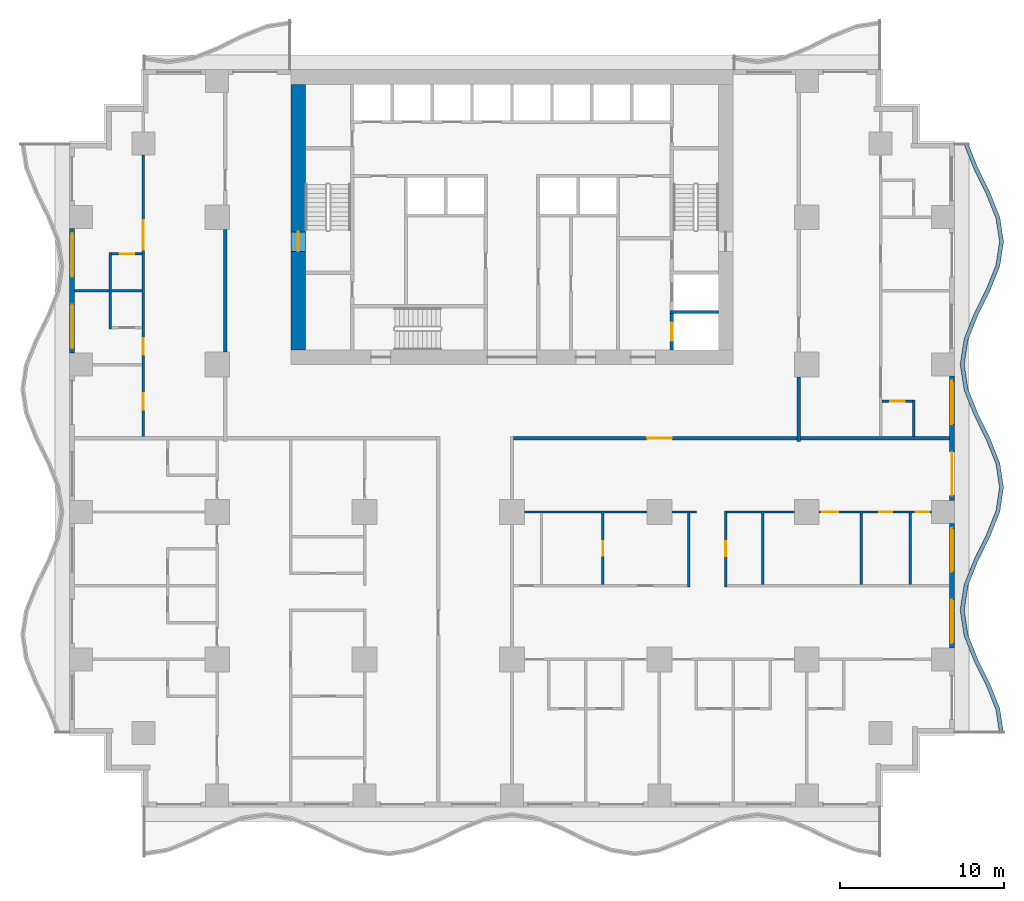
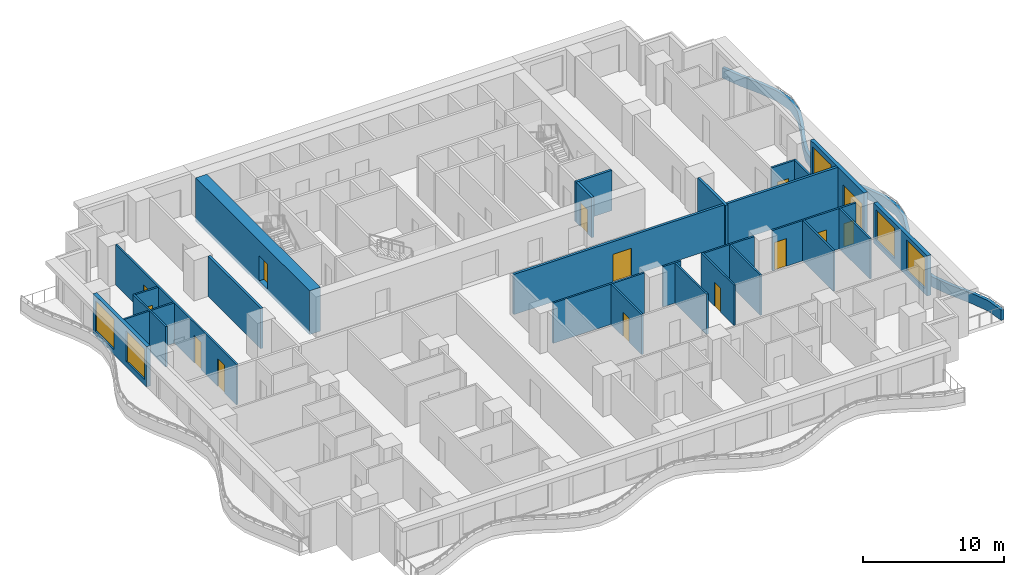
# One storey, part 4 of 13: 28 walls, 14 doors, 5 windows, 19 openings.
"""IFC4 building model written with IfcOpenShell, lengths in metres."""

from ifc_helpers import new_model, si_unit, direction, frame, frame_2d, origin, place, context, subcontext, project, spatial, polyline, rectangle, outline, extrude, material, layer, layer_set, type_object, element, fill, save


model = new_model("IFC4")

# Units and contexts
model_context = context("Model", 3, precision=1e-05, world=origin(), true_north=direction((0.0, 1.0)))
body_context = subcontext(model_context, "Body", "Model", "MODEL_VIEW")
ifc_project = project(units=[si_unit("LENGTHUNIT", "METRE"), si_unit("AREAUNIT", "SQUARE_METRE"), si_unit("VOLUMEUNIT", "CUBIC_METRE"), si_unit("PLANEANGLEUNIT", "RADIAN"), si_unit("MASSUNIT", "GRAM", prefix="KILO")], contexts=[model_context])

# Site, building, storey
site_placement = place(None, origin())
site = spatial("IfcSite", under=ifc_project, at=site_placement, CompositionType="ELEMENT")
building_placement = place(site_placement, origin())
building = spatial("IfcBuilding", under=site, at=building_placement, Name="Orbiselva Terraces", CompositionType="ELEMENT")
storey_placement = place(building_placement, frame((0.0, 0.0, 53.0)))
storey = spatial("IfcBuildingStorey", under=building, at=storey_placement, Name="L13", CompositionType="ELEMENT", Elevation=53.0)

# Wall, opening, door
ifc_material_1 = material(Name="Concrete C80/95", Category="concrete")
ifc_layer_1 = layer(ifc_material_1, 0.9)
ifc_layer_set_1 = layer_set([ifc_layer_1], Name="Concrete C80/95")
wall_type_1 = type_object("IfcWallType", Name="CORE WALL 900", PredefinedType="SHEAR", material=ifc_layer_set_1)
wall_1_placement = place(storey_placement, frame((-13.05, 21.6, -0.3), z_axis=(0.0, 0.0, 1.0), x_axis=(0.0, -1.0, 0.0)))
wall_1 = element("IfcWall", 1, at=wall_1_placement, inside=storey, type_object=wall_type_1, Name="Core wall L13 west", PredefinedType="SHEAR", context=body_context, shape_type="SweptSolid", body=[
    extrude(rectangle(XDim=16.2, YDim=0.9, at=frame_2d((8.1, 0.0))), origin(), (0.0, 0.0, 1.0), 3.8),
])
opening_1_placement = place(wall_1_placement, frame((9.0, 0.0, 0.3)))
opening_1 = element("IfcOpeningElement", 2, at=opening_1_placement, cuts=wall_1, Name="Opening DS1200", PredefinedType="OPENING", context=body_context, shape_type="SweptSolid", body=[
    extrude(rectangle(XDim=1.2, YDim=2.2, at=frame_2d((0.6, 1.1))), frame((0.0, 0.46, 0.0), z_axis=(0.0, -1.0, 0.0), x_axis=(1.0, 0.0, 0.0)), (0.0, 0.0, 1.0), 0.92),
])
ifc_material_2 = material(Name="Steel fire door", Category="steel")
door_type_1 = type_object("IfcDoorType", Name="STAIR DOOR 1200", OperationType="NOTDEFINED", PredefinedType="DOOR", material=ifc_material_2)
door_1_placement = place(opening_1_placement, frame((1.2, 0.0, 0.0), z_axis=(0.0, 0.0, 1.0), x_axis=(-1.0, 0.0, 0.0)))
door_1 = element("IfcDoor", 3, at=door_1_placement, inside=storey, type_object=door_type_1, Name="L13 EXIT STAIR S1 door", OperationType="SINGLE_SWING_RIGHT", OverallHeight=2.2, OverallWidth=1.2, PredefinedType="DOOR", context=body_context, shape_type="SweptSolid", body=[
    extrude(rectangle(XDim=1.2, YDim=2.2, at=frame_2d((0.6, 1.1))), frame((0.0, 0.025, 0.0), z_axis=(0.0, -1.0, 0.0), x_axis=(1.0, 0.0, 0.0)), (0.0, 0.0, 1.0), 0.05),
])
fill(opening_1, door_1)

ifc_material_3 = material(Name="Concrete C60/75", Category="concrete")
ifc_layer_2 = layer(ifc_material_3, 0.2)
ifc_layer_set_2 = layer_set([ifc_layer_2], Name="Concrete C60/75")
wall_type_2 = type_object("IfcWallType", Name="CORE-WALL-SHEAR-200", PredefinedType="SHEAR", material=ifc_layer_set_2)
wall_2_placement = place(storey_placement, frame((9.75, 5.4, 0.0), z_axis=(0.0, 0.0, 1.0), x_axis=(0.0, 1.0, 0.0)))
wall_2 = element("IfcWall", 4, at=wall_2_placement, inside=storey, type_object=wall_type_2, Name="L13 core wall 36", PredefinedType="SHEAR", context=body_context, shape_type="SweptSolid", body=[
    extrude(rectangle(XDim=2.2, YDim=0.2, at=frame_2d((1.1, 0.0))), origin(), (0.0, 0.0, 1.0), 3.5),
])
opening_2_placement = place(wall_2_placement, frame((0.55, 0.0, 0.0)))
opening_2 = element("IfcOpeningElement", 5, at=opening_2_placement, cuts=wall_2, Name="Opening LD-FF1", PredefinedType="OPENING", context=body_context, shape_type="SweptSolid", body=[
    extrude(rectangle(XDim=1.1, YDim=2.1, at=frame_2d((0.55, 1.05))), frame((0.0, 0.11, 0.0), z_axis=(0.0, -1.0, 0.0), x_axis=(1.0, 0.0, 0.0)), (0.0, 0.0, 1.0), 0.22),
])
ifc_material_4 = material(Name="Stainless steel landing door", Category="steel")
door_type_2 = type_object("IfcDoorType", Name="LANDING DOOR 1100", OperationType="SLIDING_TO_LEFT", PredefinedType="DOOR", material=ifc_material_4)
door_2_placement = place(opening_2_placement, origin())
door_2 = element("IfcDoor", 6, at=door_2_placement, inside=storey, type_object=door_type_2, Name="L13 landing door FF1", OperationType="SLIDING_TO_RIGHT", OverallHeight=2.1, OverallWidth=1.1, PredefinedType="DOOR", context=body_context, shape_type="SweptSolid", body=[
    extrude(rectangle(XDim=1.1, YDim=2.1, at=frame_2d((0.55, 1.05))), frame((0.0, 0.025, 0.0), z_axis=(0.0, -1.0, 0.0), x_axis=(1.0, 0.0, 0.0)), (0.0, 0.0, 1.0), 0.05),
])
fill(opening_2, door_2)

# Walls
wall_3_placement = place(storey_placement, frame((9.65, 7.7, 0.0), z_axis=(0.0, 0.0, 1.0), x_axis=(1.0, 0.0, 0.0)))
element("IfcWall", 7, at=wall_3_placement, inside=storey, type_object=wall_type_2, Name="L13 core wall 37", PredefinedType="SHEAR", context=body_context, shape_type="SweptSolid", body=[
    extrude(rectangle(XDim=2.95, YDim=0.2, at=frame_2d((1.475, 0.0))), origin(), (0.0, 0.0, 1.0), 3.5),
])
ifc_material_5 = material(Name="Concrete C40/50", Category="concrete")
ifc_layer_3 = layer(ifc_material_5, 0.25)
ifc_layer_set_3 = layer_set([ifc_layer_3], Name="Concrete C40/50")
wall_type_3 = type_object("IfcWallType", Name="ENV-PLANTER-250x900", PredefinedType="USERDEFINED", material=ifc_layer_set_3)
wall_4_placement = place(storey_placement, origin())
element("IfcWall", 8, at=wall_4_placement, inside=storey, type_object=wall_type_3, Name="Balcony planter L13 E", ObjectType="PLANTER", PredefinedType="USERDEFINED", context=body_context, shape_type="SweptSolid", body=[
    extrude(outline(polyline([(30.0, -18.0), (29.77082, -16.5), (29.17082, -15.0), (28.42918, -13.5), (27.82918, -12.0), (27.6, -10.5), (27.82918, -9.0), (28.42918, -7.5), (29.17082, -6.0), (29.77082, -4.5), (30.0, -3.0), (29.77082, -1.5), (29.17082, 0.0), (28.42918, 1.5), (27.82918, 3.0), (27.6, 4.5), (27.82918, 6.0), (28.42918, 7.5), (29.17082, 9.0), (29.77082, 10.5), (30.0, 12.0), (29.77082, 13.5), (29.17082, 15.0), (28.42918, 16.5), (27.82918, 18.0), (27.597061, 17.907152), (28.200715, 16.398017), (28.942355, 14.898017), (29.528028, 13.433834), (29.747099, 12.0), (29.528028, 10.566166), (28.942355, 9.101983), (28.200715, 7.601983), (27.586388, 6.066166), (27.347099, 4.5), (27.586388, 2.933834), (28.200715, 1.398017), (28.942355, -0.101983), (29.528028, -1.566166), (29.747099, -3.0), (29.528028, -4.433834), (28.942355, -5.898017), (28.200715, -7.398017), (27.586388, -8.933834), (27.347099, -10.5), (27.586388, -12.066166), (28.200715, -13.601983), (28.942355, -15.101983), (29.528028, -16.566166), (29.752868, -18.037758), (30.0, -18.0)])), origin(), (0.0, 0.0, 1.0), 0.9),
])

# Wall, openings, windows
ifc_material_6 = material(Name="Terracotta cladding on masonry backing", Category="masonry")
ifc_layer_4 = layer(ifc_material_6, 0.3)
ifc_layer_set_4 = layer_set([ifc_layer_4], Name="Terracotta cladding on masonry backing")
wall_type_4 = type_object("IfcWallType", Name="ENV-WALL-TERRACOTTA-300", PredefinedType="SOLIDWALL", material=ifc_layer_set_4)
wall_5_placement = place(storey_placement, frame((26.85, -5.2, 0.0), z_axis=(0.0, 0.0, 1.0), x_axis=(0.0, -1.0, 0.0)))
wall_5 = element("IfcWall", 9, at=wall_5_placement, inside=storey, type_object=wall_type_4, Name="Facade wall L13 E", PredefinedType="SOLIDWALL", context=body_context, shape_type="SweptSolid", body=[
    extrude(rectangle(XDim=7.6, YDim=0.3, at=frame_2d((3.8, 0.0))), origin(), (0.0, 0.0, 1.0), 3.5),
])
opening_3_placement = place(wall_5_placement, frame((4.65, 0.0, 0.45)))
opening_3 = element("IfcOpeningElement", 10, at=opening_3_placement, cuts=wall_5, Name="Opening WN3", PredefinedType="OPENING", context=body_context, shape_type="SweptSolid", body=[
    extrude(rectangle(XDim=2.65, YDim=2.65, at=frame_2d((1.325, 1.325))), frame((0.0, 0.16, 0.0), z_axis=(0.0, -1.0, 0.0), x_axis=(1.0, 0.0, 0.0)), (0.0, 0.0, 1.0), 0.32),
])
opening_4_placement = place(wall_5_placement, frame((0.3, 0.0, 0.45)))
opening_4 = element("IfcOpeningElement", 11, at=opening_4_placement, cuts=wall_5, Name="Opening WN3", PredefinedType="OPENING", context=body_context, shape_type="SweptSolid", body=[
    extrude(rectangle(XDim=2.65, YDim=2.65, at=frame_2d((1.325, 1.325))), frame((0.0, 0.16, 0.0), z_axis=(0.0, -1.0, 0.0), x_axis=(1.0, 0.0, 0.0)), (0.0, 0.0, 1.0), 0.32),
])
ifc_material_7 = material(Name="Clear low-e glazing in aluminium frame", Category="aluminium")
window_type = type_object("IfcWindowType", Name="WINDOW 2650 X 2650 S450", PartitioningType="TRIPLE_PANEL_VERTICAL", PredefinedType="WINDOW", material=ifc_material_7)
window_1_placement = place(opening_3_placement, origin())
window_1 = element("IfcWindow", 12, at=window_1_placement, inside=storey, type_object=window_type, Name="Window L13 E", OverallHeight=2.65, OverallWidth=2.65, PartitioningType="SINGLE_PANEL", PredefinedType="WINDOW", context=body_context, shape_type="SweptSolid", body=[
    extrude(rectangle(XDim=2.65, YDim=2.65, at=frame_2d((1.325, 1.325))), frame((0.0, 0.03, 0.0), z_axis=(0.0, -1.0, 0.0), x_axis=(1.0, 0.0, 0.0)), (0.0, 0.0, 1.0), 0.06),
])
fill(opening_3, window_1)
window_2_placement = place(opening_4_placement, origin())
window_2 = element("IfcWindow", 13, at=window_2_placement, inside=storey, type_object=window_type, Name="Window L13 E", OverallHeight=2.65, OverallWidth=2.65, PartitioningType="SINGLE_PANEL", PredefinedType="WINDOW", context=body_context, shape_type="SweptSolid", body=[
    extrude(rectangle(XDim=2.65, YDim=2.65, at=frame_2d((1.325, 1.325))), frame((0.0, 0.03, 0.0), z_axis=(0.0, -1.0, 0.0), x_axis=(1.0, 0.0, 0.0)), (0.0, 0.0, 1.0), 0.06),
])
fill(opening_4, window_2)

# Wall, openings, door, window
wall_6_placement = place(storey_placement, frame((26.85, 3.8, 0.0), z_axis=(0.0, 0.0, 1.0), x_axis=(0.0, -1.0, 0.0)))
wall_6 = element("IfcWall", 14, at=wall_6_placement, inside=storey, type_object=wall_type_4, Name="Facade wall L13 E", PredefinedType="SOLIDWALL", context=body_context, shape_type="SweptSolid", body=[
    extrude(rectangle(XDim=7.6, YDim=0.3, at=frame_2d((3.8, 0.0))), origin(), (0.0, 0.0, 1.0), 3.5),
])
opening_5_placement = place(wall_6_placement, frame((4.65, 0.0, 0.0)))
opening_5 = element("IfcOpeningElement", 15, at=opening_5_placement, cuts=wall_6, Name="Opening Z1-D-E06", PredefinedType="OPENING", context=body_context, shape_type="SweptSolid", body=[
    extrude(rectangle(XDim=2.65, YDim=2.4, at=frame_2d((1.325, 1.2))), frame((0.0, 0.16, 0.0), z_axis=(0.0, -1.0, 0.0), x_axis=(1.0, 0.0, 0.0)), (0.0, 0.0, 1.0), 0.32),
])
opening_6_placement = place(wall_6_placement, frame((0.3, 0.0, 0.45)))
opening_6 = element("IfcOpeningElement", 16, at=opening_6_placement, cuts=wall_6, Name="Opening WN3", PredefinedType="OPENING", context=body_context, shape_type="SweptSolid", body=[
    extrude(rectangle(XDim=2.65, YDim=2.65, at=frame_2d((1.325, 1.325))), frame((0.0, 0.16, 0.0), z_axis=(0.0, -1.0, 0.0), x_axis=(1.0, 0.0, 0.0)), (0.0, 0.0, 1.0), 0.32),
])
door_type_3 = type_object("IfcDoorType", Name="BALCONY DOOR 2650 X 2400", OperationType="DOUBLE_DOOR_SLIDING", PredefinedType="DOOR", material=ifc_material_7)
door_3_placement = place(opening_5_placement, origin())
door_3 = element("IfcDoor", 17, at=door_3_placement, inside=storey, type_object=door_type_3, Name="Z1-D-E06", OperationType="SINGLE_SWING_LEFT", OverallHeight=2.4, OverallWidth=2.65, PredefinedType="DOOR", context=body_context, shape_type="SweptSolid", body=[
    extrude(rectangle(XDim=2.65, YDim=2.4, at=frame_2d((1.325, 1.2))), frame((0.0, 0.025, 0.0), z_axis=(0.0, -1.0, 0.0), x_axis=(1.0, 0.0, 0.0)), (0.0, 0.0, 1.0), 0.05),
])
fill(opening_5, door_3)
window_3_placement = place(opening_6_placement, origin())
window_3 = element("IfcWindow", 18, at=window_3_placement, inside=storey, type_object=window_type, Name="Window L13 E", OverallHeight=2.65, OverallWidth=2.65, PartitioningType="SINGLE_PANEL", PredefinedType="WINDOW", context=body_context, shape_type="SweptSolid", body=[
    extrude(rectangle(XDim=2.65, YDim=2.65, at=frame_2d((1.325, 1.325))), frame((0.0, 0.03, 0.0), z_axis=(0.0, -1.0, 0.0), x_axis=(1.0, 0.0, 0.0)), (0.0, 0.0, 1.0), 0.06),
])
fill(opening_6, window_3)

# Wall, openings, windows
wall_7_placement = place(storey_placement, frame((-26.85, 5.2, 0.0), z_axis=(0.0, 0.0, 1.0), x_axis=(0.0, 1.0, 0.0)))
wall_7 = element("IfcWall", 19, at=wall_7_placement, inside=storey, type_object=wall_type_4, Name="Facade wall L13 W", PredefinedType="SOLIDWALL", context=body_context, shape_type="SweptSolid", body=[
    extrude(rectangle(XDim=7.6, YDim=0.3, at=frame_2d((3.8, 0.0))), origin(), (0.0, 0.0, 1.0), 3.5),
])
opening_7_placement = place(wall_7_placement, frame((4.65, 0.0, 0.45)))
opening_7 = element("IfcOpeningElement", 20, at=opening_7_placement, cuts=wall_7, Name="Opening WN3", PredefinedType="OPENING", context=body_context, shape_type="SweptSolid", body=[
    extrude(rectangle(XDim=2.65, YDim=2.65, at=frame_2d((1.325, 1.325))), frame((0.0, 0.16, 0.0), z_axis=(0.0, -1.0, 0.0), x_axis=(1.0, 0.0, 0.0)), (0.0, 0.0, 1.0), 0.32),
])
opening_8_placement = place(wall_7_placement, frame((0.3, 0.0, 0.45)))
opening_8 = element("IfcOpeningElement", 21, at=opening_8_placement, cuts=wall_7, Name="Opening WN3", PredefinedType="OPENING", context=body_context, shape_type="SweptSolid", body=[
    extrude(rectangle(XDim=2.65, YDim=2.65, at=frame_2d((1.325, 1.325))), frame((0.0, 0.16, 0.0), z_axis=(0.0, -1.0, 0.0), x_axis=(1.0, 0.0, 0.0)), (0.0, 0.0, 1.0), 0.32),
])
window_4_placement = place(opening_7_placement, origin())
window_4 = element("IfcWindow", 22, at=window_4_placement, inside=storey, type_object=window_type, Name="Window L13 W", OverallHeight=2.65, OverallWidth=2.65, PartitioningType="SINGLE_PANEL", PredefinedType="WINDOW", context=body_context, shape_type="SweptSolid", body=[
    extrude(rectangle(XDim=2.65, YDim=2.65, at=frame_2d((1.325, 1.325))), frame((0.0, 0.03, 0.0), z_axis=(0.0, -1.0, 0.0), x_axis=(1.0, 0.0, 0.0)), (0.0, 0.0, 1.0), 0.06),
])
fill(opening_7, window_4)
window_5_placement = place(opening_8_placement, origin())
window_5 = element("IfcWindow", 23, at=window_5_placement, inside=storey, type_object=window_type, Name="Window L13 W", OverallHeight=2.65, OverallWidth=2.65, PartitioningType="SINGLE_PANEL", PredefinedType="WINDOW", context=body_context, shape_type="SweptSolid", body=[
    extrude(rectangle(XDim=2.65, YDim=2.65, at=frame_2d((1.325, 1.325))), frame((0.0, 0.03, 0.0), z_axis=(0.0, -1.0, 0.0), x_axis=(1.0, 0.0, 0.0)), (0.0, 0.0, 1.0), 0.06),
])
fill(opening_8, window_5)

# Wall, opening, door
ifc_material_8 = material(Name="Plasterboard on steel stud partition", Category="steel")
ifc_layer_5 = layer(ifc_material_8, 0.2)
ifc_layer_set_5 = layer_set([ifc_layer_5], Name="Plasterboard on steel stud partition")
wall_type_5 = type_object("IfcWallType", Name="UNIT-ENTRANCE-WALL-200", PredefinedType="PARTITIONING", material=ifc_layer_set_5)
wall_8_placement = place(storey_placement, frame((17.4, 0.0, 0.0), z_axis=(0.0, 0.0, 1.0), x_axis=(-1.0, 0.0, 0.0)))
wall_8 = element("IfcWall", 24, at=wall_8_placement, inside=storey, type_object=wall_type_5, Name="PARTITION L13-029", PredefinedType="PARTITIONING", context=body_context, shape_type="SweptSolid", body=[
    extrude(rectangle(XDim=17.3, YDim=0.2, at=frame_2d((8.65, 0.0))), origin(), (0.0, 0.0, 1.0), 3.5),
])
opening_9_placement = place(wall_8_placement, frame((7.65, 0.0, 0.0)))
opening_9 = element("IfcOpeningElement", 25, at=opening_9_placement, cuts=wall_8, Name="Opening Z1-D-27", PredefinedType="OPENING", context=body_context, shape_type="SweptSolid", body=[
    extrude(rectangle(XDim=1.5, YDim=2.4, at=frame_2d((0.75, 1.2))), frame((0.0, 0.11, 0.0), z_axis=(0.0, -1.0, 0.0), x_axis=(1.0, 0.0, 0.0)), (0.0, 0.0, 1.0), 0.22),
])
ifc_material_9 = material(Name="Painted timber door leaf", Category="wood")
door_type_4 = type_object("IfcDoorType", Name="ENTRANCE DOUBLE DOOR 1500", OperationType="NOTDEFINED", PredefinedType="DOOR", material=ifc_material_9)
door_4_placement = place(opening_9_placement, origin())
door_4 = element("IfcDoor", 26, at=door_4_placement, inside=storey, type_object=door_type_4, Name="Z1-D-27", OperationType="DOUBLE_DOOR_SINGLE_SWING", OverallHeight=2.4, OverallWidth=1.5, PredefinedType="DOOR", context=body_context, shape_type="SweptSolid", body=[
    extrude(rectangle(XDim=1.5, YDim=2.4, at=frame_2d((0.75, 1.2))), frame((0.0, 0.025, 0.0), z_axis=(0.0, -1.0, 0.0), x_axis=(1.0, 0.0, 0.0)), (0.0, 0.0, 1.0), 0.05),
])
fill(opening_9, door_4)

# Walls
wall_9_placement = place(storey_placement, frame((-17.5, 5.25, 0.0), z_axis=(0.0, 0.0, 1.0), x_axis=(0.0, 1.0, 0.0)))
element("IfcWall", 27, at=wall_9_placement, inside=storey, type_object=wall_type_5, Name="PARTITION L13-051", PredefinedType="PARTITIONING", context=body_context, shape_type="SweptSolid", body=[
    extrude(rectangle(XDim=7.5, YDim=0.2, at=frame_2d((3.75, 0.0))), origin(), (0.0, 0.0, 1.0), 3.5),
])
wall_10_placement = place(storey_placement, frame((17.5, -0.2, 0.0), z_axis=(0.0, 0.0, 1.0), x_axis=(0.0, 1.0, 0.0)))
element("IfcWall", 28, at=wall_10_placement, inside=storey, type_object=wall_type_5, Name="PARTITION L13-075", PredefinedType="PARTITIONING", context=body_context, shape_type="SweptSolid", body=[
    extrude(rectangle(XDim=3.95, YDim=0.2, at=frame_2d((1.975, 0.0))), origin(), (0.0, 0.0, 1.0), 3.5),
])
ifc_layer_6 = layer(ifc_material_8, 0.15)
ifc_layer_set_6 = layer_set([ifc_layer_6], Name="Plasterboard on steel stud partition")
wall_type_6 = type_object("IfcWallType", Name="UNIT-PARTITION-150", PredefinedType="PARTITIONING", material=ifc_layer_set_6)
wall_11_placement = place(storey_placement, frame((0.75, -4.5, 0.0), z_axis=(0.0, 0.0, 1.0), x_axis=(1.0, 0.0, 0.0)))
element("IfcWall", 29, at=wall_11_placement, inside=storey, type_object=wall_type_6, Name="PARTITION L13-023", PredefinedType="PARTITIONING", context=body_context, shape_type="SweptSolid", body=[
    extrude(rectangle(XDim=7.5, YDim=0.15, at=frame_2d((3.75, 0.0))), origin(), (0.0, 0.0, 1.0), 3.5),
])
wall_12_placement = place(storey_placement, frame((9.75, -4.5, 0.0), z_axis=(0.0, 0.0, 1.0), x_axis=(1.0, 0.0, 0.0)))
element("IfcWall", 30, at=wall_12_placement, inside=storey, type_object=wall_type_6, Name="PARTITION L13-024", PredefinedType="PARTITIONING", context=body_context, shape_type="SweptSolid", body=[
    extrude(rectangle(XDim=1.5, YDim=0.15, at=frame_2d((0.75, 0.0))), origin(), (0.0, 0.0, 1.0), 3.5),
])
wall_13_placement = place(storey_placement, frame((13.125, -4.5, 0.0), z_axis=(0.0, 0.0, 1.0), x_axis=(1.0, 0.0, 0.0)))
element("IfcWall", 31, at=wall_13_placement, inside=storey, type_object=wall_type_6, Name="PARTITION L13-025", PredefinedType="PARTITIONING", context=body_context, shape_type="SweptSolid", body=[
    extrude(rectangle(XDim=4.125, YDim=0.15, at=frame_2d((2.0625, 0.0))), origin(), (0.0, 0.0, 1.0), 3.5),
])

# Wall, openings, doors
wall_14_placement = place(storey_placement, frame((25.6, -4.5, 0.0), z_axis=(0.0, 0.0, 1.0), x_axis=(-1.0, 0.0, 0.0)))
wall_14 = element("IfcWall", 32, at=wall_14_placement, inside=storey, type_object=wall_type_6, Name="PARTITION L13-026", PredefinedType="PARTITIONING", context=body_context, shape_type="SweptSolid", body=[
    extrude(rectangle(XDim=6.85, YDim=0.15, at=frame_2d((3.425, 0.0))), origin(), (0.0, 0.0, 1.0), 3.5),
])
opening_10_placement = place(wall_14_placement, frame((0.15, 0.0, 0.0)))
opening_10 = element("IfcOpeningElement", 33, at=opening_10_placement, cuts=wall_14, Name="Opening Z1-D-28", PredefinedType="OPENING", context=body_context, shape_type="SweptSolid", body=[
    extrude(rectangle(XDim=0.8, YDim=2.0, at=frame_2d((0.4, 1.0))), frame((0.0, 0.085, 0.0), z_axis=(0.0, -1.0, 0.0), x_axis=(1.0, 0.0, 0.0)), (0.0, 0.0, 1.0), 0.17),
])
opening_11_placement = place(wall_14_placement, frame((2.4, 0.0, 0.0)))
opening_11 = element("IfcOpeningElement", 34, at=opening_11_placement, cuts=wall_14, Name="Opening Z1-D-29", PredefinedType="OPENING", context=body_context, shape_type="SweptSolid", body=[
    extrude(rectangle(XDim=0.8, YDim=2.0, at=frame_2d((0.4, 1.0))), frame((0.0, 0.085, 0.0), z_axis=(0.0, -1.0, 0.0), x_axis=(1.0, 0.0, 0.0)), (0.0, 0.0, 1.0), 0.17),
])
opening_12_placement = place(wall_14_placement, frame((5.7, 0.0, 0.0)))
opening_12 = element("IfcOpeningElement", 35, at=opening_12_placement, cuts=wall_14, Name="Opening Z1-D-30", PredefinedType="OPENING", context=body_context, shape_type="SweptSolid", body=[
    extrude(rectangle(XDim=1.0, YDim=2.4, at=frame_2d((0.5, 1.2))), frame((0.0, 0.085, 0.0), z_axis=(0.0, -1.0, 0.0), x_axis=(1.0, 0.0, 0.0)), (0.0, 0.0, 1.0), 0.17),
])
door_type_5 = type_object("IfcDoorType", Name="ROOM DOOR 1000", OperationType="NOTDEFINED", PredefinedType="DOOR", material=ifc_material_9)
door_5_placement = place(opening_12_placement, origin())
door_5 = element("IfcDoor", 36, at=door_5_placement, inside=storey, type_object=door_type_5, Name="Z1-D-30", OperationType="SINGLE_SWING_RIGHT", OverallHeight=2.4, OverallWidth=1.0, PredefinedType="DOOR", context=body_context, shape_type="SweptSolid", body=[
    extrude(rectangle(XDim=1.0, YDim=2.4, at=frame_2d((0.5, 1.2))), frame((0.0, 0.025, 0.0), z_axis=(0.0, -1.0, 0.0), x_axis=(1.0, 0.0, 0.0)), (0.0, 0.0, 1.0), 0.05),
])
fill(opening_12, door_5)
door_type_6 = type_object("IfcDoorType", Name="STORE DOOR 800", OperationType="NOTDEFINED", PredefinedType="DOOR", material=ifc_material_9)
door_6_placement = place(opening_10_placement, origin())
door_6 = element("IfcDoor", 37, at=door_6_placement, inside=storey, type_object=door_type_6, Name="Z1-D-28", OperationType="SINGLE_SWING_LEFT", OverallHeight=2.0, OverallWidth=0.8, PredefinedType="DOOR", context=body_context, shape_type="SweptSolid", body=[
    extrude(rectangle(XDim=0.8, YDim=2.0, at=frame_2d((0.4, 1.0))), frame((0.0, 0.025, 0.0), z_axis=(0.0, -1.0, 0.0), x_axis=(1.0, 0.0, 0.0)), (0.0, 0.0, 1.0), 0.05),
])
fill(opening_10, door_6)
door_7_placement = place(opening_11_placement, origin())
door_7 = element("IfcDoor", 38, at=door_7_placement, inside=storey, type_object=door_type_6, Name="Z1-D-29", OperationType="SINGLE_SWING_LEFT", OverallHeight=2.0, OverallWidth=0.8, PredefinedType="DOOR", context=body_context, shape_type="SweptSolid", body=[
    extrude(rectangle(XDim=0.8, YDim=2.0, at=frame_2d((0.4, 1.0))), frame((0.0, 0.025, 0.0), z_axis=(0.0, -1.0, 0.0), x_axis=(1.0, 0.0, 0.0)), (0.0, 0.0, 1.0), 0.05),
])
fill(opening_11, door_7)

# Wall, opening, door
wall_15_placement = place(storey_placement, frame((24.45, 2.25, 0.0), z_axis=(0.0, 0.0, 1.0), x_axis=(-1.0, 0.0, 0.0)))
wall_15 = element("IfcWall", 39, at=wall_15_placement, inside=storey, type_object=wall_type_6, Name="PARTITION L13-032", PredefinedType="PARTITIONING", context=body_context, shape_type="SweptSolid", body=[
    extrude(rectangle(XDim=1.875, YDim=0.15, at=frame_2d((0.9375, 0.0))), origin(), (0.0, 0.0, 1.0), 3.5),
])
opening_13_placement = place(wall_15_placement, frame((0.475, 0.0, 0.0)))
opening_13 = element("IfcOpeningElement", 40, at=opening_13_placement, cuts=wall_15, Name="Opening Z1-D-09", PredefinedType="OPENING", context=body_context, shape_type="SweptSolid", body=[
    extrude(rectangle(XDim=0.9, YDim=2.1, at=frame_2d((0.45, 1.05))), frame((0.0, 0.085, 0.0), z_axis=(0.0, -1.0, 0.0), x_axis=(1.0, 0.0, 0.0)), (0.0, 0.0, 1.0), 0.17),
])
door_type_7 = type_object("IfcDoorType", Name="BATH DOOR 900", OperationType="NOTDEFINED", PredefinedType="DOOR", material=ifc_material_9)
door_8_placement = place(opening_13_placement, origin())
door_8 = element("IfcDoor", 41, at=door_8_placement, inside=storey, type_object=door_type_7, Name="Z1-D-09", OperationType="SINGLE_SWING_LEFT", OverallHeight=2.1, OverallWidth=0.9, PredefinedType="DOOR", context=body_context, shape_type="SweptSolid", body=[
    extrude(rectangle(XDim=0.9, YDim=2.1, at=frame_2d((0.45, 1.05))), frame((0.0, 0.025, 0.0), z_axis=(0.0, -1.0, 0.0), x_axis=(1.0, 0.0, 0.0)), (0.0, 0.0, 1.0), 0.05),
])
fill(opening_13, door_8)

# Walls
wall_16_placement = place(storey_placement, frame((-26.7, 9.0, 0.0), z_axis=(0.0, 0.0, 1.0), x_axis=(1.0, 0.0, 0.0)))
element("IfcWall", 42, at=wall_16_placement, inside=storey, type_object=wall_type_6, Name="PARTITION L13-035", PredefinedType="PARTITIONING", context=body_context, shape_type="SweptSolid", body=[
    extrude(rectangle(XDim=2.1, YDim=0.15, at=frame_2d((1.05, 0.0))), origin(), (0.0, 0.0, 1.0), 3.5),
])
wall_17_placement = place(storey_placement, frame((-24.45, 9.0, 0.0), z_axis=(0.0, 0.0, 1.0), x_axis=(1.0, 0.0, 0.0)))
element("IfcWall", 43, at=wall_17_placement, inside=storey, type_object=wall_type_6, Name="PARTITION L13-036", PredefinedType="PARTITIONING", context=body_context, shape_type="SweptSolid", body=[
    extrude(rectangle(XDim=1.875, YDim=0.15, at=frame_2d((0.9375, 0.0))), origin(), (0.0, 0.0, 1.0), 3.5),
])

# Wall, opening, door
wall_18_placement = place(storey_placement, frame((-22.575, 11.25, 0.0), z_axis=(0.0, 0.0, 1.0), x_axis=(-1.0, 0.0, 0.0)))
wall_18 = element("IfcWall", 44, at=wall_18_placement, inside=storey, type_object=wall_type_6, Name="PARTITION L13-038", PredefinedType="PARTITIONING", context=body_context, shape_type="SweptSolid", body=[
    extrude(rectangle(XDim=1.875, YDim=0.15, at=frame_2d((0.9375, 0.0))), origin(), (0.0, 0.0, 1.0), 3.5),
])
opening_14_placement = place(wall_18_placement, frame((0.475, 0.0, 0.0)))
opening_14 = element("IfcOpeningElement", 45, at=opening_14_placement, cuts=wall_18, Name="Opening Z1-D-06", PredefinedType="OPENING", context=body_context, shape_type="SweptSolid", body=[
    extrude(rectangle(XDim=0.9, YDim=2.1, at=frame_2d((0.45, 1.05))), frame((0.0, 0.085, 0.0), z_axis=(0.0, -1.0, 0.0), x_axis=(1.0, 0.0, 0.0)), (0.0, 0.0, 1.0), 0.17),
])
door_9_placement = place(opening_14_placement, origin())
door_9 = element("IfcDoor", 46, at=door_9_placement, inside=storey, type_object=door_type_7, Name="Z1-D-06", OperationType="SINGLE_SWING_LEFT", OverallHeight=2.1, OverallWidth=0.9, PredefinedType="DOOR", context=body_context, shape_type="SweptSolid", body=[
    extrude(rectangle(XDim=0.9, YDim=2.1, at=frame_2d((0.45, 1.05))), frame((0.0, 0.025, 0.0), z_axis=(0.0, -1.0, 0.0), x_axis=(1.0, 0.0, 0.0)), (0.0, 0.0, 1.0), 0.05),
])
fill(opening_14, door_9)

# Wall
wall_19_placement = place(storey_placement, frame((-24.525, 6.675, 0.0), z_axis=(0.0, 0.0, 1.0), x_axis=(0.0, 1.0, 0.0)))
element("IfcWall", 47, at=wall_19_placement, inside=storey, type_object=wall_type_6, Name="PARTITION L13-041", PredefinedType="PARTITIONING", context=body_context, shape_type="SweptSolid", body=[
    extrude(rectangle(XDim=4.65, YDim=0.15, at=frame_2d((2.325, 0.0))), origin(), (0.0, 0.0, 1.0), 3.5),
])

# Wall, openings, doors
wall_20_placement = place(storey_placement, frame((-22.5, 0.1, 0.0), z_axis=(0.0, 0.0, 1.0), x_axis=(0.0, 1.0, 0.0)))
wall_20 = element("IfcWall", 48, at=wall_20_placement, inside=storey, type_object=wall_type_6, Name="PARTITION L13-042", PredefinedType="PARTITIONING", context=body_context, shape_type="SweptSolid", body=[
    extrude(rectangle(XDim=17.2, YDim=0.15, at=frame_2d((8.6, 0.0))), origin(), (0.0, 0.0, 1.0), 3.5),
])
opening_15_placement = place(wall_20_placement, frame((1.65, 0.0, 0.0)))
opening_15 = element("IfcOpeningElement", 49, at=opening_15_placement, cuts=wall_20, Name="Opening Z1-D-02", PredefinedType="OPENING", context=body_context, shape_type="SweptSolid", body=[
    extrude(rectangle(XDim=1.0, YDim=2.4, at=frame_2d((0.5, 1.2))), frame((0.0, 0.085, 0.0), z_axis=(0.0, -1.0, 0.0), x_axis=(1.0, 0.0, 0.0)), (0.0, 0.0, 1.0), 0.17),
])
opening_16_placement = place(wall_20_placement, frame((5.0, 0.0, 0.0)))
opening_16 = element("IfcOpeningElement", 50, at=opening_16_placement, cuts=wall_20, Name="Opening Z1-D-03", PredefinedType="OPENING", context=body_context, shape_type="SweptSolid", body=[
    extrude(rectangle(XDim=1.0, YDim=2.4, at=frame_2d((0.5, 1.2))), frame((0.0, 0.085, 0.0), z_axis=(0.0, -1.0, 0.0), x_axis=(1.0, 0.0, 0.0)), (0.0, 0.0, 1.0), 0.17),
])
opening_17_placement = place(wall_20_placement, frame((11.4, 0.0, 0.0)))
opening_17 = element("IfcOpeningElement", 51, at=opening_17_placement, cuts=wall_20, Name="Opening Z1-D-05", PredefinedType="OPENING", context=body_context, shape_type="SweptSolid", body=[
    extrude(rectangle(XDim=1.8, YDim=2.4, at=frame_2d((0.9, 1.2))), frame((0.0, 0.085, 0.0), z_axis=(0.0, -1.0, 0.0), x_axis=(1.0, 0.0, 0.0)), (0.0, 0.0, 1.0), 0.17),
])
door_type_8 = type_object("IfcDoorType", Name="DOUBLE DOOR 1800", OperationType="NOTDEFINED", PredefinedType="DOOR", material=ifc_material_9)
door_10_placement = place(opening_17_placement, origin())
door_10 = element("IfcDoor", 52, at=door_10_placement, inside=storey, type_object=door_type_8, Name="Z1-D-05", OperationType="DOUBLE_DOOR_SINGLE_SWING", OverallHeight=2.4, OverallWidth=1.8, PredefinedType="DOOR", context=body_context, shape_type="SweptSolid", body=[
    extrude(rectangle(XDim=1.8, YDim=2.4, at=frame_2d((0.9, 1.2))), frame((0.0, 0.025, 0.0), z_axis=(0.0, -1.0, 0.0), x_axis=(1.0, 0.0, 0.0)), (0.0, 0.0, 1.0), 0.05),
])
fill(opening_17, door_10)
door_11_placement = place(opening_15_placement, origin())
door_11 = element("IfcDoor", 53, at=door_11_placement, inside=storey, type_object=door_type_5, Name="Z1-D-02", OperationType="SINGLE_SWING_LEFT", OverallHeight=2.4, OverallWidth=1.0, PredefinedType="DOOR", context=body_context, shape_type="SweptSolid", body=[
    extrude(rectangle(XDim=1.0, YDim=2.4, at=frame_2d((0.5, 1.2))), frame((0.0, 0.025, 0.0), z_axis=(0.0, -1.0, 0.0), x_axis=(1.0, 0.0, 0.0)), (0.0, 0.0, 1.0), 0.05),
])
fill(opening_15, door_11)
door_12_placement = place(opening_16_placement, origin())
door_12 = element("IfcDoor", 54, at=door_12_placement, inside=storey, type_object=door_type_5, Name="Z1-D-03", OperationType="SINGLE_SWING_LEFT", OverallHeight=2.4, OverallWidth=1.0, PredefinedType="DOOR", context=body_context, shape_type="SweptSolid", body=[
    extrude(rectangle(XDim=1.0, YDim=2.4, at=frame_2d((0.5, 1.2))), frame((0.0, 0.025, 0.0), z_axis=(0.0, -1.0, 0.0), x_axis=(1.0, 0.0, 0.0)), (0.0, 0.0, 1.0), 0.05),
])
fill(opening_16, door_12)

# Wall, opening, door
wall_21_placement = place(storey_placement, frame((5.55, -8.925, 0.0), z_axis=(0.0, 0.0, 1.0), x_axis=(0.0, 1.0, 0.0)))
wall_21 = element("IfcWall", 55, at=wall_21_placement, inside=storey, type_object=wall_type_6, Name="PARTITION L13-066", PredefinedType="PARTITIONING", context=body_context, shape_type="SweptSolid", body=[
    extrude(rectangle(XDim=4.35, YDim=0.15, at=frame_2d((2.175, 0.0))), origin(), (0.0, 0.0, 1.0), 3.5),
])
opening_18_placement = place(wall_21_placement, frame((1.75, 0.0, 0.0)))
opening_18 = element("IfcOpeningElement", 56, at=opening_18_placement, cuts=wall_21, Name="Opening Z1-D-33", PredefinedType="OPENING", context=body_context, shape_type="SweptSolid", body=[
    extrude(rectangle(XDim=0.9, YDim=2.1, at=frame_2d((0.45, 1.05))), frame((0.0, 0.085, 0.0), z_axis=(0.0, -1.0, 0.0), x_axis=(1.0, 0.0, 0.0)), (0.0, 0.0, 1.0), 0.17),
])
door_13_placement = place(opening_18_placement, origin())
door_13 = element("IfcDoor", 57, at=door_13_placement, inside=storey, type_object=door_type_7, Name="Z1-D-33", OperationType="SINGLE_SWING_RIGHT", OverallHeight=2.1, OverallWidth=0.9, PredefinedType="DOOR", context=body_context, shape_type="SweptSolid", body=[
    extrude(rectangle(XDim=0.9, YDim=2.1, at=frame_2d((0.45, 1.05))), frame((0.0, 0.025, 0.0), z_axis=(0.0, -1.0, 0.0), x_axis=(1.0, 0.0, 0.0)), (0.0, 0.0, 1.0), 0.05),
])
fill(opening_18, door_13)

# Wall
wall_22_placement = place(storey_placement, frame((10.8, -9.075, 0.0), z_axis=(0.0, 0.0, 1.0), x_axis=(0.0, 1.0, 0.0)))
element("IfcWall", 58, at=wall_22_placement, inside=storey, type_object=wall_type_6, Name="PARTITION L13-069", PredefinedType="PARTITIONING", context=body_context, shape_type="SweptSolid", body=[
    extrude(rectangle(XDim=4.5, YDim=0.15, at=frame_2d((2.25, 0.0))), origin(), (0.0, 0.0, 1.0), 3.5),
])

# Wall, opening, door
wall_23_placement = place(storey_placement, frame((13.05, -4.425, 0.0), z_axis=(0.0, 0.0, 1.0), x_axis=(0.0, -1.0, 0.0)))
wall_23 = element("IfcWall", 59, at=wall_23_placement, inside=storey, type_object=wall_type_6, Name="PARTITION L13-071", PredefinedType="PARTITIONING", context=body_context, shape_type="SweptSolid", body=[
    extrude(rectangle(XDim=4.65, YDim=0.15, at=frame_2d((2.325, 0.0))), origin(), (0.0, 0.0, 1.0), 3.5),
])
opening_19_placement = place(wall_23_placement, frame((1.875, 0.0, 0.0)))
opening_19 = element("IfcOpeningElement", 60, at=opening_19_placement, cuts=wall_23, Name="Opening Z1-D-31", PredefinedType="OPENING", context=body_context, shape_type="SweptSolid", body=[
    extrude(rectangle(XDim=0.9, YDim=2.1, at=frame_2d((0.45, 1.05))), frame((0.0, 0.085, 0.0), z_axis=(0.0, -1.0, 0.0), x_axis=(1.0, 0.0, 0.0)), (0.0, 0.0, 1.0), 0.17),
])
door_14_placement = place(opening_19_placement, origin())
door_14 = element("IfcDoor", 61, at=door_14_placement, inside=storey, type_object=door_type_7, Name="Z1-D-31", OperationType="SINGLE_SWING_RIGHT", OverallHeight=2.1, OverallWidth=0.9, PredefinedType="DOOR", context=body_context, shape_type="SweptSolid", body=[
    extrude(rectangle(XDim=0.9, YDim=2.1, at=frame_2d((0.45, 1.05))), frame((0.0, 0.025, 0.0), z_axis=(0.0, -1.0, 0.0), x_axis=(1.0, 0.0, 0.0)), (0.0, 0.0, 1.0), 0.05),
])
fill(opening_19, door_14)

# Walls
for number, where, z_axis, x_axis, name in (
    (62, (15.3, -8.925, 0.0), (0.0, 0.0, 1.0), (0.0, 1.0, 0.0), "PARTITION L13-073"),
    (63, (21.3, -8.925, 0.0), (0.0, 0.0, 1.0), (0.0, 1.0, 0.0), "PARTITION L13-080"),
    (64, (24.3, -8.925, 0.0), (0.0, 0.0, 1.0), (0.0, 1.0, 0.0), "PARTITION L13-083"),
):
    element("IfcWall", number, at=place(storey_placement, frame(where, z_axis=z_axis, x_axis=x_axis)), inside=storey, type_object=wall_type_6, Name=name, PredefinedType="PARTITIONING", context=body_context, shape_type="SweptSolid", body=[
        extrude(rectangle(XDim=4.35, YDim=0.15, at=frame_2d((2.175, 0.0))), origin(), (0.0, 0.0, 1.0), 3.5),
    ])
wall_24_placement = place(storey_placement, frame((24.525, 0.1, 0.0), z_axis=(0.0, 0.0, 1.0), x_axis=(0.0, 1.0, 0.0)))
element("IfcWall", 65, at=wall_24_placement, inside=storey, type_object=wall_type_6, Name="PARTITION L13-084", PredefinedType="PARTITIONING", context=body_context, shape_type="SweptSolid", body=[
    extrude(rectangle(XDim=2.225, YDim=0.15, at=frame_2d((1.1125, 0.0))), origin(), (0.0, 0.0, 1.0), 3.5),
])
ifc_layer_7 = layer(ifc_material_8, 0.2)
ifc_layer_set_7 = layer_set([ifc_layer_7], Name="Plasterboard on steel stud partition")
wall_type_7 = type_object("IfcWallType", Name="UNIT-PARTY-WALL-200", PredefinedType="PARTITIONING", material=ifc_layer_set_7)
wall_25_placement = place(storey_placement, frame((17.6, 0.0, 0.0), z_axis=(0.0, 0.0, 1.0), x_axis=(1.0, 0.0, 0.0)))
element("IfcWall", 66, at=wall_25_placement, inside=storey, type_object=wall_type_7, Name="PARTITION L13-031", PredefinedType="PARTITIONING", context=body_context, shape_type="SweptSolid", body=[
    extrude(rectangle(XDim=9.1, YDim=0.2, at=frame_2d((4.55, 0.0))), origin(), (0.0, 0.0, 1.0), 3.5),
])

save(model, "model.ifc")
